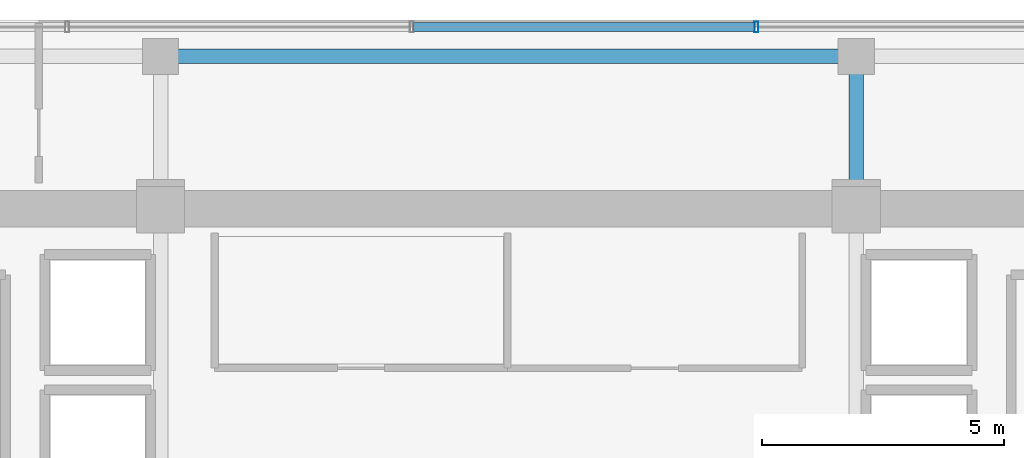
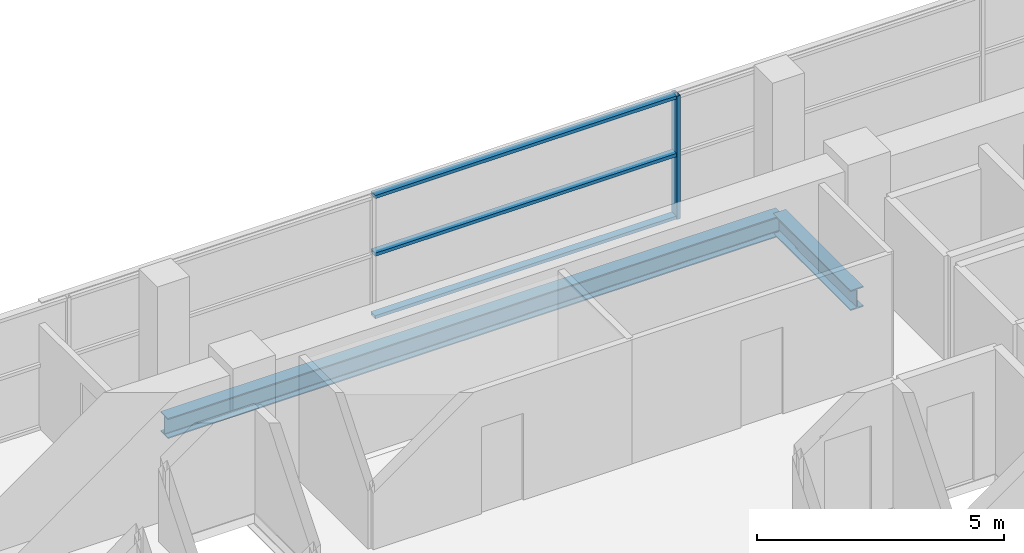
# One storey, part 11 of 21: 4 members, 2 beams, 1 element without a shape of its own.
"""IFC4 building model written with IfcOpenShell, lengths in metres."""

from ifc_helpers import new_model, si_unit, direction, frame, origin, origin_2d, place, context, subcontext, project, spatial, hollow_rectangle, i_section, extrude, source, transform, mapped, material, layer, layer_set, material_profile, profile_set, type_object, element, aggregate, save


model = new_model("IFC4")

# Units and contexts
model_context = context("Model", 3, precision=1e-05, world=origin(), true_north=direction((0.0, 1.0)))
body_context = subcontext(model_context, "Body", "Model", "MODEL_VIEW")
ifc_project = project(units=[si_unit("LENGTHUNIT", "METRE"), si_unit("AREAUNIT", "SQUARE_METRE"), si_unit("VOLUMEUNIT", "CUBIC_METRE"), si_unit("PLANEANGLEUNIT", "RADIAN"), si_unit("MASSUNIT", "GRAM", prefix="KILO")], contexts=[model_context])

# Site, building, storey
site_placement = place(None, origin())
site = spatial("IfcSite", under=ifc_project, at=site_placement, CompositionType="ELEMENT")
building_placement = place(site_placement, origin())
building = spatial("IfcBuilding", under=site, at=building_placement, Name="Zarnakvel Exchange Tower", CompositionType="ELEMENT")
storey_placement = place(building_placement, frame((0.0, 0.0, 152.800048828125)))
storey = spatial("IfcBuildingStorey", under=building, at=storey_placement, Name="L42", CompositionType="ELEMENT", Elevation=152.800048828125)

# Beams
ifc_material_1 = material(Name="Steel S355", Category="steel")
ifc_material_profile_1 = material_profile(ifc_material_1, i_section(OverallWidth=0.300048828125, OverallDepth=0.5, WebThickness=0.014404296875, FlangeThickness=0.028076171875, FilletRadius=0.027099609375, at=origin_2d()))
ifc_profile_set_1 = profile_set([ifc_material_profile_1], Name="Steel S355")
beam_type_1 = type_object("IfcBeamType", Name="G-06", PredefinedType="BEAM", material=ifc_profile_set_1)
beam_1_placement = place(storey_placement, frame((7.199951171875, 13.5, -0.47509765625), z_axis=(0.0, 1.0, 0.0), x_axis=(-1.0, 0.0, 0.0)))
element("IfcBeam", 1, at=beam_1_placement, inside=storey, type_object=beam_type_1, Name="L42 Tower N-S Frame Beam", PredefinedType="BEAM", context=body_context, shape_type="SweptSolid", body=[
    extrude(i_section(OverallWidth=0.300048828125, OverallDepth=0.5, WebThickness=0.014404296875, FlangeThickness=0.028076171875, FilletRadius=0.027099609375, at=origin_2d()), origin(), (0.0, 0.0, 1.0), 3.14990234375),
])
ifc_material_profile_2 = material_profile(ifc_material_1, i_section(OverallWidth=0.300048828125, OverallDepth=0.5, WebThickness=0.014404296875, FlangeThickness=0.028076171875, FilletRadius=0.027099609375, at=origin_2d()))
ifc_profile_set_2 = profile_set([ifc_material_profile_2], Name="Steel S355")
beam_type_2 = type_object("IfcBeamType", Name="SP-02", PredefinedType="SPANDREL", material=ifc_profile_set_2)
beam_2_placement = place(storey_placement, frame((-7.199951171875, 16.64990234375, -0.47509765625), z_axis=(1.0, 0.0, 0.0), x_axis=(0.0, 1.0, 0.0)))
element("IfcBeam", 2, at=beam_2_placement, inside=storey, type_object=beam_type_2, Name="L42 Tower E-W Frame Beam", PredefinedType="SPANDREL", context=body_context, shape_type="SweptSolid", body=[
    extrude(i_section(OverallWidth=0.300048828125, OverallDepth=0.5, WebThickness=0.014404296875, FlangeThickness=0.028076171875, FilletRadius=0.027099609375, at=origin_2d()), origin(), (0.0, 0.0, 1.0), 14.39990234375),
])

# Curtain wall, members
ifc_material_2 = material(Name="Architectural Bronze Anodised Aluminium", Category="aluminium")
ifc_layer = layer(ifc_material_2, 0.219970703125)
ifc_layer_set = layer_set([ifc_layer], Name="Architectural Bronze Anodised Aluminium")
curtain_wall_type = type_object("IfcCurtainWallType", Name="CW-03", PredefinedType="NOTDEFINED", material=ifc_layer_set)
curtain_wall_placement = place(storey_placement, origin())
curtain_wall = element("IfcCurtainWall", 3, at=curtain_wall_placement, inside=storey, type_object=curtain_wall_type, Name="L42 Curtain Wall CW-L42-N1 (CW-03)", PredefinedType="NOTDEFINED")
ifc_material_profile_3 = material_profile(ifc_material_2, hollow_rectangle(XDim=0.219970703125, YDim=0.080078125, WallThickness=0.0048828125, at=origin_2d()))
ifc_profile_set_3 = profile_set([ifc_material_profile_3], Name="Architectural Bronze Anodised Aluminium")
member_type_1 = type_object("IfcMemberType", Name="CWM-03", PredefinedType="MULLION", material=ifc_profile_set_3)
shared_shape_1 = source(origin(), body_context, "Body", "SweptSolid", [
    extrude(hollow_rectangle(XDim=0.219970703125, YDim=0.080078125, WallThickness=0.0048828125, at=origin_2d()), origin(), (0.0, 0.0, 1.0), 3.054931640625),
])
member_1_placement = place(storey_placement, frame((5.13330078125, 17.260009765625, 0.0), z_axis=(0.0, 0.0, 1.0), x_axis=(0.0, 1.0, 0.0)))
member_1 = element("IfcMember", 4, at=member_1_placement, type_object=member_type_1, Name="CW-03 mullion 5", PredefinedType="MULLION", context=body_context, shape_type="MappedRepresentation", body=[
    mapped(shared_shape_1, transform((0.0, 0.0, 0.0), x_axis=(1.0, 0.0, 0.0), y_axis=(0.0, 1.0, 0.0), z_axis=(0.0, 0.0, 1.0), scale=1.0)),
])
ifc_material_profile_4 = material_profile(ifc_material_2, hollow_rectangle(XDim=0.179931640625, YDim=0.080078125, WallThickness=0.00390625, at=origin_2d()))
ifc_profile_set_4 = profile_set([ifc_material_profile_4], Name="Architectural Bronze Anodised Aluminium")
member_type_2 = type_object("IfcMemberType", Name="CWT-03", PredefinedType="USERDEFINED", material=ifc_profile_set_4)
shared_shape_2 = source(origin(), body_context, "Body", "SweptSolid", [
    extrude(hollow_rectangle(XDim=0.179931640625, YDim=0.080078125, WallThickness=0.00390625, at=origin_2d()), origin(), (0.0, 0.0, 1.0), 7.05322265625),
])
member_2_placement = place(storey_placement, frame((-1.9599609375, 17.260009765625, 0.0400390625), z_axis=(1.0, 0.0, 0.0), x_axis=(0.0, 1.0, 0.0)))
member_2 = element("IfcMember", 5, at=member_2_placement, type_object=member_type_2, Name="CW-03 transom 4.1", ObjectType="TRANSOM", PredefinedType="USERDEFINED", context=body_context, shape_type="MappedRepresentation", body=[
    mapped(shared_shape_2, transform((0.0, 0.0, 0.0), x_axis=(1.0, 0.0, 0.0), y_axis=(0.0, 1.0, 0.0), z_axis=(0.0, 0.0, 1.0), scale=1.0)),
])
member_3_placement = place(storey_placement, frame((-1.9599609375, 17.260009765625, 1.588623046875), z_axis=(1.0, 0.0, 0.0), x_axis=(0.0, 1.0, 0.0)))
member_3 = element("IfcMember", 6, at=member_3_placement, type_object=member_type_2, Name="CW-03 transom 4.2", ObjectType="TRANSOM", PredefinedType="USERDEFINED", context=body_context, shape_type="MappedRepresentation", body=[
    mapped(shared_shape_2, transform((0.0, 0.0, 0.0), x_axis=(1.0, 0.0, 0.0), y_axis=(0.0, 1.0, 0.0), z_axis=(0.0, 0.0, 1.0), scale=1.0)),
])
member_4_placement = place(storey_placement, frame((-1.9599609375, 17.260009765625, 3.014892578125), z_axis=(1.0, 0.0, 0.0), x_axis=(0.0, 1.0, 0.0)))
member_4 = element("IfcMember", 7, at=member_4_placement, type_object=member_type_2, Name="CW-03 transom 4.3", ObjectType="TRANSOM", PredefinedType="USERDEFINED", context=body_context, shape_type="MappedRepresentation", body=[
    mapped(shared_shape_2, transform((0.0, 0.0, 0.0), x_axis=(1.0, 0.0, 0.0), y_axis=(0.0, 1.0, 0.0), z_axis=(0.0, 0.0, 1.0), scale=1.0)),
])
aggregate(curtain_wall, [member_1, member_2, member_3, member_4])

save(model, "model.ifc")
